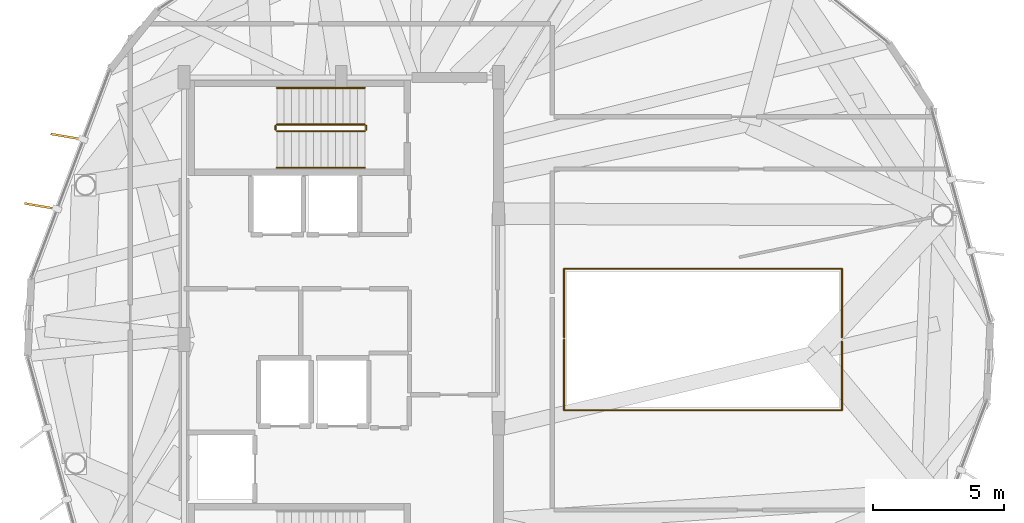
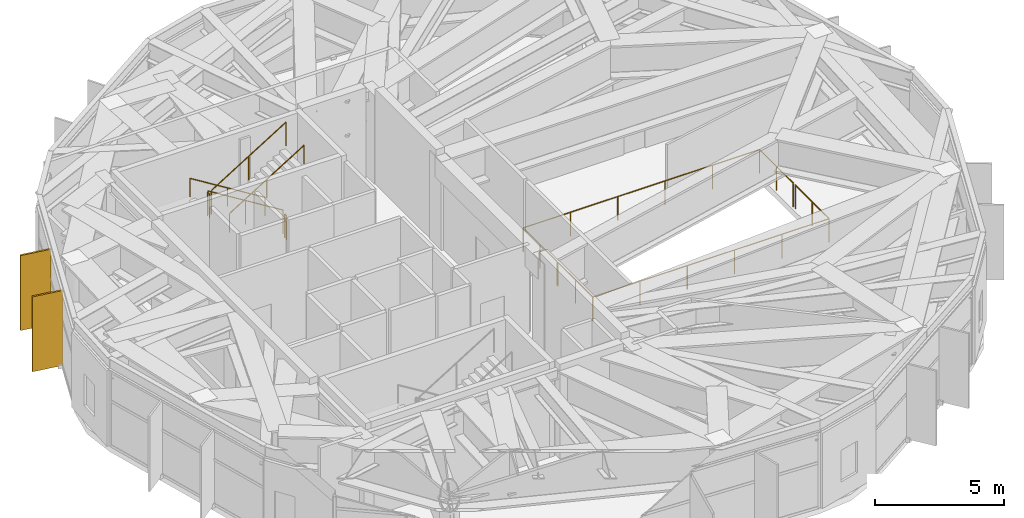
# One storey, part 26 of 27: 8 railings, 2 shading devices.
"""IFC4 building model written with IfcOpenShell, lengths in metres."""

from ifc_helpers import new_model, si_unit, direction, frame, origin, origin_2d, place, context, subcontext, project, spatial, rectangle, circle, extrude, material, layer, layer_set, type_object, element, save


model = new_model("IFC4")

# Units and contexts
model_context = context("Model", 3, precision=1e-05, world=origin(), true_north=direction((0.0, 1.0)))
body_context = subcontext(model_context, "Body", "Model", "MODEL_VIEW")
ifc_project = project(units=[si_unit("LENGTHUNIT", "METRE"), si_unit("AREAUNIT", "SQUARE_METRE"), si_unit("VOLUMEUNIT", "CUBIC_METRE"), si_unit("PLANEANGLEUNIT", "RADIAN"), si_unit("MASSUNIT", "GRAM", prefix="KILO")], contexts=[model_context])

# Site, building, storey
site_placement = place(None, origin())
site = spatial("IfcSite", under=ifc_project, at=site_placement, CompositionType="ELEMENT")
building_placement = place(site_placement, origin())
building = spatial("IfcBuilding", under=site, at=building_placement, Name="Soratama Intermodal Tower", CompositionType="ELEMENT")
storey_placement = place(building_placement, frame((0.0, 0.0, 288.550048828125)))
storey = spatial("IfcBuildingStorey", under=building, at=storey_placement, Name="L73", CompositionType="ELEMENT", Elevation=288.550048828125)

# Railings
ifc_material_1 = material(Name="Galvanised steel perimeter guardrail", Category="steel")
railing_type_1 = type_object("IfcRailingType", Name="RL-SLOT-1150", PredefinedType="GUARDRAIL", material=ifc_material_1)
railing_1_placement = place(storey_placement, frame((47.10009765625, 25.0, 0.0)))
element("IfcRailing", 1, at=railing_1_placement, inside=storey, type_object=railing_type_1, Name="L73 Wind-Turbine Slot South Guardrail", PredefinedType="GUARDRAIL", context=body_context, shape_type="SweptSolid", body=[
    extrude(circle(Radius=0.02392578125, at=origin_2d()), frame((0.0, 0.0, 1.1259765625), z_axis=(0.0, -1.0, 0.0), x_axis=(1.0, 0.0, 0.0)), (0.0, 0.0, 1.0), 2.699951171875),
    extrude(circle(Radius=0.02392578125, at=origin_2d()), frame((0.0, -2.699951171875, 1.1259765625), z_axis=(1.0, 0.0, 0.0), x_axis=(0.0, 1.0, 0.0)), (0.0, 0.0, 1.0), 10.599853515625),
    extrude(circle(Radius=0.02392578125, at=origin_2d()), frame((10.599853515625, -2.699951171875, 1.1259765625), z_axis=(0.0, 1.0, 0.0), x_axis=(-1.0, 0.0, 0.0)), (0.0, 0.0, 1.0), 2.619873046875),
    extrude(circle(Radius=0.02099609375, at=origin_2d()), origin(), (0.0, 0.0, 1.0), 1.101806640625),
    extrude(circle(Radius=0.02099609375, at=origin_2d()), frame((0.0, -1.35009765625, 0.0)), (0.0, 0.0, 1.0), 1.101806640625),
    extrude(circle(Radius=0.02099609375, at=origin_2d()), frame((0.0, -2.699951171875, 0.0)), (0.0, 0.0, 1.0), 1.101806640625),
    extrude(circle(Radius=0.02099609375, at=origin_2d()), frame((2.119873046875, -2.699951171875, 0.0)), (0.0, 0.0, 1.0), 1.101806640625),
    extrude(circle(Radius=0.02099609375, at=origin_2d()), frame((4.239990234375, -2.699951171875, 0.0)), (0.0, 0.0, 1.0), 1.101806640625),
    extrude(circle(Radius=0.02099609375, at=origin_2d()), frame((6.35986328125, -2.699951171875, 0.0)), (0.0, 0.0, 1.0), 1.101806640625),
    extrude(circle(Radius=0.02099609375, at=origin_2d()), frame((8.47998046875, -2.699951171875, 0.0)), (0.0, 0.0, 1.0), 1.101806640625),
    extrude(circle(Radius=0.02099609375, at=origin_2d()), frame((10.599853515625, -2.699951171875, 0.0)), (0.0, 0.0, 1.0), 1.101806640625),
    extrude(circle(Radius=0.02099609375, at=origin_2d()), frame((10.599853515625, -1.39013671875, 0.0)), (0.0, 0.0, 1.0), 1.101806640625),
    extrude(circle(Radius=0.02099609375, at=origin_2d()), frame((10.599853515625, -0.080078125, 0.0)), (0.0, 0.0, 1.0), 1.101806640625),
])
railing_2_placement = place(storey_placement, frame((57.699951171875, 25.080078125, 0.0)))
element("IfcRailing", 2, at=railing_2_placement, inside=storey, type_object=railing_type_1, Name="L73 Wind-Turbine Slot North Guardrail", PredefinedType="GUARDRAIL", context=body_context, shape_type="SweptSolid", body=[
    extrude(circle(Radius=0.02392578125, at=origin_2d()), frame((0.0, 0.0, 1.1259765625), z_axis=(0.0, 1.0, 0.0), x_axis=(-1.0, 0.0, 0.0)), (0.0, 0.0, 1.0), 2.619873046875),
    extrude(circle(Radius=0.02392578125, at=origin_2d()), frame((0.0, 2.619873046875, 1.1259765625), z_axis=(-1.0, 0.0, 0.0), x_axis=(0.0, -1.0, 0.0)), (0.0, 0.0, 1.0), 10.599853515625),
    extrude(circle(Radius=0.02392578125, at=origin_2d()), frame((-10.599853515625, 2.619873046875, 1.1259765625), z_axis=(0.0, -1.0, 0.0), x_axis=(1.0, 0.0, 0.0)), (0.0, 0.0, 1.0), 2.619873046875),
    extrude(circle(Radius=0.02099609375, at=origin_2d()), origin(), (0.0, 0.0, 1.0), 1.101806640625),
    extrude(circle(Radius=0.02099609375, at=origin_2d()), frame((0.0, 1.31005859375, 0.0)), (0.0, 0.0, 1.0), 1.101806640625),
    extrude(circle(Radius=0.02099609375, at=origin_2d()), frame((0.0, 2.619873046875, 0.0)), (0.0, 0.0, 1.0), 1.101806640625),
    extrude(circle(Radius=0.02099609375, at=origin_2d()), frame((-2.119873046875, 2.619873046875, 0.0)), (0.0, 0.0, 1.0), 1.101806640625),
    extrude(circle(Radius=0.02099609375, at=origin_2d()), frame((-4.239990234375, 2.619873046875, 0.0)), (0.0, 0.0, 1.0), 1.101806640625),
    extrude(circle(Radius=0.02099609375, at=origin_2d()), frame((-6.35986328125, 2.619873046875, 0.0)), (0.0, 0.0, 1.0), 1.101806640625),
    extrude(circle(Radius=0.02099609375, at=origin_2d()), frame((-8.47998046875, 2.619873046875, 0.0)), (0.0, 0.0, 1.0), 1.101806640625),
    extrude(circle(Radius=0.02099609375, at=origin_2d()), frame((-10.599853515625, 2.619873046875, 0.0)), (0.0, 0.0, 1.0), 1.101806640625),
    extrude(circle(Radius=0.02099609375, at=origin_2d()), frame((-10.599853515625, 1.31005859375, 0.0)), (0.0, 0.0, 1.0), 1.101806640625),
    extrude(circle(Radius=0.02099609375, at=origin_2d()), frame((-10.599853515625, 0.0, 0.0)), (0.0, 0.0, 1.0), 1.101806640625),
])
ifc_material_2 = material(Name="Painted steel stair guardrail", Category="steel")
railing_type_2 = type_object("IfcRailingType", Name="RL-STAIR-GUARD", PredefinedType="GUARDRAIL", material=ifc_material_2)
railing_3_placement = place(storey_placement, frame((39.5, 33.199951171875, 0.173095703125)))
element("IfcRailing", 3, at=railing_3_placement, inside=storey, type_object=railing_type_2, Name="L73 ST-2 stair guard 1", PredefinedType="GUARDRAIL", context=body_context, shape_type="SweptSolid", body=[
    extrude(circle(Radius=0.02392578125, at=origin_2d()), frame((0.0, 0.0, 1.1259765625), z_axis=(-0.850623216509, 0.0, 0.525775754039), x_axis=(0.0, -1.0, 0.0)), (0.0, 0.0, 1.0), 3.9501953125),
    extrude(circle(Radius=0.02099609375, at=origin_2d()), origin(), (0.0, 0.0, 1.0), 1.101806640625),
    extrude(circle(Radius=0.02099609375, at=origin_2d()), frame((-1.68017578125, 0.0, 1.03857421875)), (0.0, 0.0, 1.0), 1.101806640625),
    extrude(circle(Radius=0.02099609375, at=origin_2d()), frame((-3.360107421875, 0.0, 2.076904296875)), (0.0, 0.0, 1.0), 1.101806640625),
])
railing_4_placement = place(storey_placement, frame((36.090087890625, 33.14990234375, 2.25)))
element("IfcRailing", 4, at=railing_4_placement, inside=storey, type_object=railing_type_2, Name="L73 ST-2 stair guard 2", PredefinedType="GUARDRAIL", context=body_context, shape_type="SweptSolid", body=[
    extrude(circle(Radius=0.02392578125, at=origin_2d()), frame((0.0, 0.0, 1.1259765625), z_axis=(0.0, -1.0, 0.0), x_axis=(1.0, 0.0, 0.0)), (0.0, 0.0, 1.0), 0.14990234375),
    extrude(circle(Radius=0.02099609375, at=origin_2d()), origin(), (0.0, 0.0, 1.0), 1.101806640625),
    extrude(circle(Radius=0.02099609375, at=origin_2d()), frame((0.0, -0.14990234375, 0.0)), (0.0, 0.0, 1.0), 1.101806640625),
])
railing_5_placement = place(storey_placement, frame((36.139892578125, 32.949951171875, 2.423095703125)))
element("IfcRailing", 5, at=railing_5_placement, inside=storey, type_object=railing_type_2, Name="L73 ST-2 stair guard 3", PredefinedType="GUARDRAIL", context=body_context, shape_type="SweptSolid", body=[
    extrude(circle(Radius=0.02392578125, at=origin_2d()), frame((0.0, 0.0, 1.1259765625), z_axis=(0.850623216509, 0.0, 0.525775754039), x_axis=(0.0, 1.0, 0.0)), (0.0, 0.0, 1.0), 3.9501953125),
    extrude(circle(Radius=0.02099609375, at=origin_2d()), origin(), (0.0, 0.0, 1.0), 1.101806640625),
    extrude(circle(Radius=0.02099609375, at=origin_2d()), frame((1.68017578125, 0.0, 1.03857421875)), (0.0, 0.0, 1.0), 1.101806640625),
    extrude(circle(Radius=0.02099609375, at=origin_2d()), frame((3.360107421875, 0.0, 2.076904296875)), (0.0, 0.0, 1.0), 1.101806640625),
])
railing_6_placement = place(storey_placement, frame((39.550048828125, 33.14990234375, 0.0)))
element("IfcRailing", 6, at=railing_6_placement, inside=storey, type_object=railing_type_2, Name="L73 ST-2 stair guard 4", PredefinedType="GUARDRAIL", context=body_context, shape_type="SweptSolid", body=[
    extrude(circle(Radius=0.02392578125, at=origin_2d()), frame((0.0, 0.0, 1.1259765625), z_axis=(0.0, -1.0, 0.0), x_axis=(1.0, 0.0, 0.0)), (0.0, 0.0, 1.0), 0.14990234375),
    extrude(circle(Radius=0.02099609375, at=origin_2d()), origin(), (0.0, 0.0, 1.0), 1.101806640625),
    extrude(circle(Radius=0.02099609375, at=origin_2d()), frame((0.0, -0.14990234375, 0.0)), (0.0, 0.0, 1.0), 1.101806640625),
])
ifc_material_3 = material(Name="Brushed stainless steel handrail", Category="steel")
railing_type_3 = type_object("IfcRailingType", Name="RL-STAIR-HAND", PredefinedType="HANDRAIL", material=ifc_material_3)
railing_7_placement = place(storey_placement, frame((39.5, 34.60009765625, 0.173095703125)))
element("IfcRailing", 7, at=railing_7_placement, inside=storey, type_object=railing_type_3, Name="L73 ST-2 stair handrail 1", PredefinedType="HANDRAIL", context=body_context, shape_type="SweptSolid", body=[
    extrude(circle(Radius=0.02392578125, at=origin_2d()), frame((0.0, 0.0, 0.8759765625), z_axis=(-0.850623216509, 0.0, 0.525775754039), x_axis=(0.0, -1.0, 0.0)), (0.0, 0.0, 1.0), 3.9501953125),
    extrude(circle(Radius=0.02099609375, at=origin_2d()), origin(), (0.0, 0.0, 1.0), 0.851806640625),
    extrude(circle(Radius=0.02099609375, at=origin_2d()), frame((-1.68017578125, 0.0, 1.03857421875)), (0.0, 0.0, 1.0), 0.851806640625),
    extrude(circle(Radius=0.02099609375, at=origin_2d()), frame((-3.360107421875, 0.0, 2.076904296875)), (0.0, 0.0, 1.0), 0.851806640625),
])
railing_8_placement = place(storey_placement, frame((36.139892578125, 31.550048828125, 2.423095703125)))
element("IfcRailing", 8, at=railing_8_placement, inside=storey, type_object=railing_type_3, Name="L73 ST-2 stair handrail 2", PredefinedType="HANDRAIL", context=body_context, shape_type="SweptSolid", body=[
    extrude(circle(Radius=0.02392578125, at=origin_2d()), frame((0.0, 0.0, 0.8759765625), z_axis=(0.850623216509, 0.0, 0.525775754039), x_axis=(0.0, 1.0, 0.0)), (0.0, 0.0, 1.0), 3.9501953125),
    extrude(circle(Radius=0.02099609375, at=origin_2d()), origin(), (0.0, 0.0, 1.0), 0.851806640625),
    extrude(circle(Radius=0.02099609375, at=origin_2d()), frame((1.68017578125, 0.0, 1.03857421875)), (0.0, 0.0, 1.0), 0.851806640625),
    extrude(circle(Radius=0.02099609375, at=origin_2d()), frame((3.360107421875, 0.0, 2.076904296875)), (0.0, 0.0, 1.0), 0.851806640625),
])

# Shading devices
ifc_material_4 = material(Name="Champagne anodised aluminium solar fin", Category="aluminium")
ifc_layer = layer(ifc_material_4, 0.080078125)
ifc_layer_set = layer_set([ifc_layer], Name="Champagne anodised aluminium solar fin")
shading_device_type = type_object("IfcShadingDeviceType", Name="SH-FIN-1250", PredefinedType="USERDEFINED", material=ifc_layer_set)
for number, where, z_axis, x_axis, name in (
    (9, (28.131591796875, 32.7373046875, 0.02001953125), (0.0, 0.0, 1.0), (-0.985585601111, 0.169177489289, 0.0), "L73 Solar Fin F03-1"),
    (10, (27.1328125, 30.0859375, 0.02001953125), (0.0, 0.0, 1.0), (-0.985585601111, 0.169177489289, 0.0), "L73 Solar Fin F03-2"),
):
    element("IfcShadingDevice", number, at=place(storey_placement, frame(where, z_axis=z_axis, x_axis=x_axis)), inside=storey, type_object=shading_device_type, Name=name, ObjectType="FIN", PredefinedType="USERDEFINED", context=body_context, shape_type="SweptSolid", body=[
        extrude(rectangle(XDim=1.25, YDim=0.080078125, at=origin_2d()), origin(), (0.0, 0.0, 1.0), 3.553955078125),
    ])

save(model, "model.ifc")
